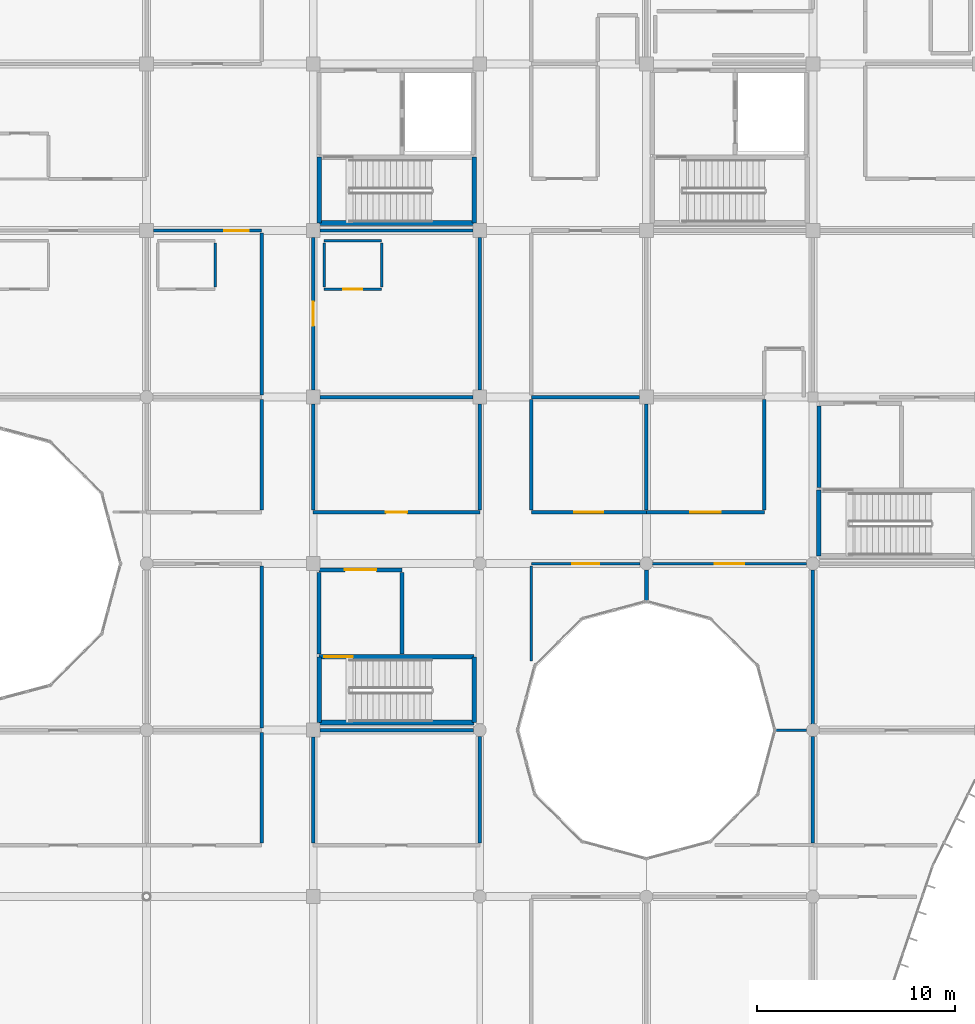
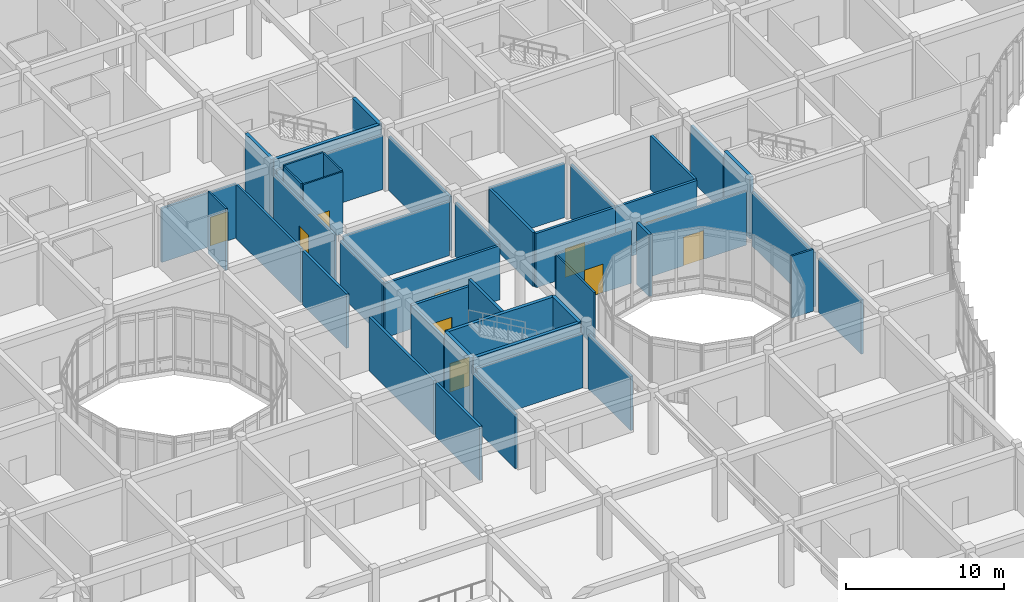
# One storey, part 103 of 134: 45 walls, 10 doors, 10 openings.
"""IFC4 building model written with IfcOpenShell, lengths in metres."""

from ifc_helpers import new_model, si_unit, direction, frame, frame_2d, origin, place, context, subcontext, project, spatial, rectangle, extrude, material, layer, layer_set, type_object, element, fill, save


model = new_model("IFC4")

# Units and contexts
model_context = context("Model", 3, precision=1e-05, world=origin(), true_north=direction((0.0, 1.0)))
body_context = subcontext(model_context, "Body", "Model", "MODEL_VIEW")
ifc_project = project(units=[si_unit("LENGTHUNIT", "METRE"), si_unit("AREAUNIT", "SQUARE_METRE"), si_unit("VOLUMEUNIT", "CUBIC_METRE"), si_unit("PLANEANGLEUNIT", "RADIAN"), si_unit("MASSUNIT", "GRAM", prefix="KILO")], contexts=[model_context])

# Site, building, storey
site_placement = place(None, origin())
site = spatial("IfcSite", under=ifc_project, at=site_placement, CompositionType="ELEMENT")
building_placement = place(site_placement, origin())
building = spatial("IfcBuilding", under=site, at=building_placement, Name="Bramfleet General Hospital", CompositionType="ELEMENT")
storey_placement = place(building_placement, frame((0.0, 0.0, 9.300048828125)))
storey = spatial("IfcBuildingStorey", under=building, at=storey_placement, Name="L02", CompositionType="ELEMENT", Elevation=9.300048828125)

# Walls
ifc_material_1 = material(Name="Concrete C35/45", Category="concrete")
ifc_layer_1 = layer(ifc_material_1, 0.205078125, Name="WT-IW-02")
ifc_layer_set_1 = layer_set([ifc_layer_1], Name="Concrete C35/45")
wall_type_1 = type_object("IfcWallType", Name="WT-IW-02", PredefinedType="PARTITIONING", material=ifc_layer_set_1)
wall_1_placement = place(storey_placement, frame((105.280029296875, 71.0400390625, 0.0), z_axis=(0.0, 0.0, 1.0), x_axis=(0.0, 1.0, 0.0)))
element("IfcWall", 1, at=wall_1_placement, inside=storey, type_object=wall_type_1, Name="L02 C11 Lobby East Shaft Wall", PredefinedType="PARTITIONING", context=body_context, shape_type="SweptSolid", body=[
    extrude(rectangle(XDim=4.119873046875, YDim=0.205078125, at=frame_2d((2.06005859375, 0.0))), origin(), (0.0, 0.0, 1.0), 4.77001953125),
])
wall_2_placement = place(storey_placement, frame((101.10009765625, 71.0400390625, 0.0), z_axis=(0.0, 0.0, 1.0), x_axis=(0.0, 1.0, 0.0)))
element("IfcWall", 2, at=wall_2_placement, inside=storey, type_object=wall_type_1, Name="L02 C11 Lobby West Compartment Wall", PredefinedType="PARTITIONING", context=body_context, shape_type="SweptSolid", body=[
    extrude(rectangle(XDim=4.119873046875, YDim=0.205078125, at=frame_2d((2.06005859375, 0.0))), origin(), (0.0, 0.0, 1.0), 4.169921875),
])

# Wall, opening, door
wall_3_placement = place(storey_placement, frame((101.10009765625, 75.280029296875, 0.0), z_axis=(0.0, 0.0, 1.0), x_axis=(1.0, 0.0, 0.0)))
wall_3 = element("IfcWall", 3, at=wall_3_placement, inside=storey, type_object=wall_type_1, Name="L02 C11 Lobby North Compartment Wall", PredefinedType="PARTITIONING", context=body_context, shape_type="SweptSolid", body=[
    extrude(rectangle(XDim=4.179931640625, YDim=0.205078125, at=frame_2d((2.08984375, 0.0))), origin(), (0.0, 0.0, 1.0), 4.169921875),
])
opening_1_placement = place(wall_3_placement, frame((1.2900390625, 0.0, 0.0)))
opening_1 = element("IfcOpeningElement", 4, at=opening_1_placement, cuts=wall_3, Name="Opening D0144", PredefinedType="OPENING", context=body_context, shape_type="SweptSolid", body=[
    extrude(rectangle(XDim=1.60009765625, YDim=2.25, at=frame_2d((0.800048828125, 1.125))), frame((0.0, 0.112548828125, 0.0), z_axis=(0.0, -1.0, 0.0), x_axis=(1.0, 0.0, 0.0)), (0.0, 0.0, 1.0), 0.22509765625),
])
ifc_material_2 = material(Name="Stainless steel and acoustic timber leaf", Category="steel")
door_type_1 = type_object("IfcDoorType", Name="DR-D-04", OperationType="NOTDEFINED", PredefinedType="DOOR", material=ifc_material_2)
door_1_placement = place(opening_1_placement, origin())
door_1 = element("IfcDoor", 5, at=door_1_placement, inside=storey, type_object=door_type_1, Name="L02 C11 Lobby Fire Door D0144", OperationType="DOUBLE_SWING_LEFT", OverallHeight=2.25, OverallWidth=1.60009765625, PredefinedType="DOOR", context=body_context, shape_type="SweptSolid", body=[
    extrude(rectangle(XDim=1.60009765625, YDim=2.25, at=frame_2d((0.800048828125, 1.125))), frame((0.0, 0.02490234375, 0.0), z_axis=(0.0, -1.0, 0.0), x_axis=(1.0, 0.0, 0.0)), (0.0, 0.0, 1.0), 0.050048828125),
])
fill(opening_1, door_1)

# Walls
wall_4_placement = place(storey_placement, frame((126.300048828125, 79.43994140625, 0.0), z_axis=(0.0, 0.0, 1.0), x_axis=(0.0, 1.0, 0.0)))
element("IfcWall", 6, at=wall_4_placement, inside=storey, type_object=wall_type_1, Name="L02 C12 Lobby West Compartment Wall", PredefinedType="PARTITIONING", context=body_context, shape_type="SweptSolid", body=[
    extrude(rectangle(XDim=4.1201171875, YDim=0.205078125, at=frame_2d((2.06005859375, 0.0))), origin(), (0.0, 0.0, 1.0), 4.169921875),
])
wall_5_placement = place(storey_placement, frame((117.60009765625, 73.699951171875, 0.0), z_axis=(0.0, 0.0, 1.0), x_axis=(0.0, 1.0, 0.0)))
element("IfcWall", 7, at=wall_5_placement, inside=storey, type_object=wall_type_1, Name="L02 Interior Partition IW-L02-2390", PredefinedType="PARTITIONING", context=body_context, shape_type="SweptSolid", body=[
    extrude(rectangle(XDim=1.580078125, YDim=0.205078125, at=frame_2d((0.7900390625, 0.0))), origin(), (0.0, 0.0, 1.0), 4.77001953125),
])
ifc_layer_2 = layer(ifc_material_1, 0.179931640625, Name="WT-IW-04")
ifc_layer_set_2 = layer_set([ifc_layer_2], Name="Concrete C35/45")
wall_type_2 = type_object("IfcWallType", Name="WT-IW-04", PredefinedType="PARTITIONING", material=ifc_layer_set_2)
wall_6_placement = place(storey_placement, frame((101.14501953125, 67.199951171875, 0.0), z_axis=(0.0, 0.0, 1.0), x_axis=(1.0, 0.0, 0.0)))
element("IfcWall", 8, at=wall_6_placement, inside=storey, type_object=wall_type_2, Name="L02 Interior Partition IW-L02-2012", PredefinedType="PARTITIONING", context=body_context, shape_type="SweptSolid", body=[
    extrude(rectangle(XDim=7.73486328125, YDim=0.179931640625, at=frame_2d((3.867431640625, 0.0))), origin(), (0.0, 0.0, 1.0), 4.169921875),
])

# Wall, opening, door
wall_7_placement = place(storey_placement, frame((100.800048828125, 78.199951171875, 0.0), z_axis=(0.0, 0.0, 1.0), x_axis=(1.0, 0.0, 0.0)))
wall_7 = element("IfcWall", 9, at=wall_7_placement, inside=storey, type_object=wall_type_2, Name="L02 Interior Partition IW-L02-2041", PredefinedType="PARTITIONING", context=body_context, shape_type="SweptSolid", body=[
    extrude(rectangle(XDim=8.39990234375, YDim=0.179931640625, at=frame_2d((4.199951171875, 0.0))), origin(), (0.0, 0.0, 1.0), 4.169921875),
])
opening_2_placement = place(wall_7_placement, frame((3.659912109375, 0.0, 0.0)))
opening_2 = element("IfcOpeningElement", 10, at=opening_2_placement, cuts=wall_7, Name="Opening D0950", PredefinedType="OPENING", context=body_context, shape_type="SweptSolid", body=[
    extrude(rectangle(XDim=1.080078125, YDim=2.1201171875, at=frame_2d((0.5400390625, 1.06005859375))), frame((0.0, 0.099853515625, 0.0), z_axis=(0.0, -1.0, 0.0), x_axis=(1.0, 0.0, 0.0)), (0.0, 0.0, 1.0), 0.199951171875),
])
door_type_2 = type_object("IfcDoorType", Name="DR-D-22", OperationType="NOTDEFINED", PredefinedType="DOOR", material=ifc_material_2)
door_2_placement = place(opening_2_placement, origin())
door_2 = element("IfcDoor", 11, at=door_2_placement, inside=storey, type_object=door_type_2, Name="Interventional Cardiology Cath Lab L02-1209 Door D0950", OperationType="SINGLE_SWING_LEFT", OverallHeight=2.1201171875, OverallWidth=1.080078125, PredefinedType="DOOR", context=body_context, shape_type="SweptSolid", body=[
    extrude(rectangle(XDim=1.080078125, YDim=2.1201171875, at=frame_2d((0.5400390625, 1.06005859375))), frame((0.0, 0.02490234375, 0.0), z_axis=(0.0, -1.0, 0.0), x_axis=(1.0, 0.0, 0.0)), (0.0, 0.0, 1.0), 0.050048828125),
])
fill(opening_2, door_2)

wall_8_placement = place(storey_placement, frame((111.800048828125, 78.199951171875, 0.0), z_axis=(0.0, 0.0, 1.0), x_axis=(1.0, 0.0, 0.0)))
wall_8 = element("IfcWall", 12, at=wall_8_placement, inside=storey, type_object=wall_type_2, Name="L02 Interior Partition IW-L02-2042", PredefinedType="PARTITIONING", context=body_context, shape_type="SweptSolid", body=[
    extrude(rectangle(XDim=5.800048828125, YDim=0.179931640625, at=frame_2d((2.89990234375, 0.0))), origin(), (0.0, 0.0, 1.0), 4.169921875),
])
opening_3_placement = place(wall_8_placement, frame((2.175048828125, 0.0, 0.0)))
opening_3 = element("IfcOpeningElement", 13, at=opening_3_placement, cuts=wall_8, Name="Opening D0963", PredefinedType="OPENING", context=body_context, shape_type="SweptSolid", body=[
    extrude(rectangle(XDim=1.449951171875, YDim=2.199951171875, at=frame_2d((0.72509765625, 1.10009765625))), frame((0.0, 0.099853515625, 0.0), z_axis=(0.0, -1.0, 0.0), x_axis=(1.0, 0.0, 0.0)), (0.0, 0.0, 1.0), 0.199951171875),
])
door_type_3 = type_object("IfcDoorType", Name="DR-D-03", OperationType="NOTDEFINED", PredefinedType="DOOR", material=ifc_material_2)
door_3_placement = place(opening_3_placement, origin())
door_3 = element("IfcDoor", 14, at=door_3_placement, inside=storey, type_object=door_type_3, Name="Interventional Cardiology Cath Lab L02-1309 Door D0963", OperationType="SINGLE_SWING_RIGHT", OverallHeight=2.199951171875, OverallWidth=1.449951171875, PredefinedType="DOOR", context=body_context, shape_type="SweptSolid", body=[
    extrude(rectangle(XDim=1.449951171875, YDim=2.199951171875, at=frame_2d((0.72509765625, 1.10009765625))), frame((0.0, 0.02490234375, 0.0), z_axis=(0.0, -1.0, 0.0), x_axis=(1.0, 0.0, 0.0)), (0.0, 0.0, 1.0), 0.050048828125),
])
fill(opening_3, door_3)

wall_9_placement = place(storey_placement, frame((117.60009765625, 78.199951171875, 0.0), z_axis=(0.0, 0.0, 1.0), x_axis=(1.0, 0.0, 0.0)))
wall_9 = element("IfcWall", 15, at=wall_9_placement, inside=storey, type_object=wall_type_2, Name="L02 Interior Partition IW-L02-2043", PredefinedType="PARTITIONING", context=body_context, shape_type="SweptSolid", body=[
    extrude(rectangle(XDim=5.949951171875, YDim=0.179931640625, at=frame_2d((2.97509765625, 0.0))), origin(), (0.0, 0.0, 1.0), 4.169921875),
])
opening_4_placement = place(wall_9_placement, frame((2.205078125, 0.0, 0.0)))
opening_4 = element("IfcOpeningElement", 16, at=opening_4_placement, cuts=wall_9, Name="Opening D0977", PredefinedType="OPENING", context=body_context, shape_type="SweptSolid", body=[
    extrude(rectangle(XDim=1.5400390625, YDim=2.239990234375, at=frame_2d((0.77001953125, 1.1201171875))), frame((0.0, 0.099853515625, 0.0), z_axis=(0.0, -1.0, 0.0), x_axis=(1.0, 0.0, 0.0)), (0.0, 0.0, 1.0), 0.199951171875),
])
door_type_4 = type_object("IfcDoorType", Name="DR-D-17", OperationType="NOTDEFINED", PredefinedType="DOOR", material=ifc_material_2)
door_4_placement = place(opening_4_placement, origin())
door_4 = element("IfcDoor", 17, at=door_4_placement, inside=storey, type_object=door_type_4, Name="Interventional Cardiology Cath Lab L02-1409 Door D0977", OperationType="SINGLE_SWING_RIGHT", OverallHeight=2.239990234375, OverallWidth=1.5400390625, PredefinedType="DOOR", context=body_context, shape_type="SweptSolid", body=[
    extrude(rectangle(XDim=1.5400390625, YDim=2.239990234375, at=frame_2d((0.77001953125, 1.1201171875))), frame((0.0, 0.02490234375, 0.0), z_axis=(0.0, -1.0, 0.0), x_axis=(1.0, 0.0, 0.0)), (0.0, 0.0, 1.0), 0.050048828125),
])
fill(opening_4, door_4)

# Walls
wall_10_placement = place(storey_placement, frame((101.14501953125, 84.0, 0.0), z_axis=(0.0, 0.0, 1.0), x_axis=(1.0, 0.0, 0.0)))
element("IfcWall", 18, at=wall_10_placement, inside=storey, type_object=wall_type_2, Name="L02 Interior Partition IW-L02-2058", PredefinedType="PARTITIONING", context=body_context, shape_type="SweptSolid", body=[
    extrude(rectangle(XDim=7.7099609375, YDim=0.179931640625, at=frame_2d((3.85498046875, 0.0))), origin(), (0.0, 0.0, 1.0), 4.169921875),
])
wall_11_placement = place(storey_placement, frame((111.800048828125, 84.0, 0.0), z_axis=(0.0, 0.0, 1.0), x_axis=(1.0, 0.0, 0.0)))
element("IfcWall", 19, at=wall_11_placement, inside=storey, type_object=wall_type_2, Name="L02 Interior Partition IW-L02-2059", PredefinedType="PARTITIONING", context=body_context, shape_type="SweptSolid", body=[
    extrude(rectangle(XDim=5.454833984375, YDim=0.179931640625, at=frame_2d((2.7275390625, 0.0))), origin(), (0.0, 0.0, 1.0), 4.169921875),
])
wall_12_placement = place(storey_placement, frame((98.199951171875, 61.514892578125, 0.0), z_axis=(0.0, 0.0, 1.0), x_axis=(0.0, 1.0, 0.0)))
element("IfcWall", 20, at=wall_12_placement, inside=storey, type_object=wall_type_2, Name="L02 Interior Partition IW-L02-2347", PredefinedType="PARTITIONING", context=body_context, shape_type="SweptSolid", body=[
    extrude(rectangle(XDim=5.570068359375, YDim=0.179931640625, at=frame_2d((2.78515625, 0.0))), origin(), (0.0, 0.0, 1.0), 4.169921875),
])
wall_13_placement = place(storey_placement, frame((98.199951171875, 67.31494140625, 0.0), z_axis=(0.0, 0.0, 1.0), x_axis=(0.0, 1.0, 0.0)))
element("IfcWall", 21, at=wall_13_placement, inside=storey, type_object=wall_type_2, Name="L02 Interior Partition IW-L02-2348", PredefinedType="PARTITIONING", context=body_context, shape_type="SweptSolid", body=[
    extrude(rectangle(XDim=8.170166015625, YDim=0.179931640625, at=frame_2d((4.0849609375, 0.0))), origin(), (0.0, 0.0, 1.0), 4.169921875),
])
wall_14_placement = place(storey_placement, frame((98.199951171875, 78.31494140625, 0.0), z_axis=(0.0, 0.0, 1.0), x_axis=(0.0, 1.0, 0.0)))
element("IfcWall", 22, at=wall_14_placement, inside=storey, type_object=wall_type_2, Name="L02 Interior Partition IW-L02-2349", PredefinedType="PARTITIONING", context=body_context, shape_type="SweptSolid", body=[
    extrude(rectangle(XDim=5.570068359375, YDim=0.179931640625, at=frame_2d((2.78515625, 0.0))), origin(), (0.0, 0.0, 1.0), 4.169921875),
])
for number, where, z_axis, x_axis, name in (
    (23, (100.800048828125, 61.514892578125, 0.0), (0.0, 0.0, 1.0), (0.0, 1.0, 0.0), "L02 Interior Partition IW-L02-2355"),
    (24, (100.800048828125, 78.31494140625, 0.0), (0.0, 0.0, 1.0), (0.0, 1.0, 0.0), "L02 Interior Partition IW-L02-2356"),
):
    element("IfcWall", number, at=place(storey_placement, frame(where, z_axis=z_axis, x_axis=x_axis)), inside=storey, type_object=wall_type_2, Name=name, PredefinedType="PARTITIONING", context=body_context, shape_type="SweptSolid", body=[
        extrude(rectangle(XDim=5.340087890625, YDim=0.179931640625, at=frame_2d((2.669921875, 0.0))), origin(), (0.0, 0.0, 1.0), 4.169921875),
    ])
wall_15_placement = place(storey_placement, frame((109.199951171875, 61.514892578125, 0.0), z_axis=(0.0, 0.0, 1.0), x_axis=(0.0, 1.0, 0.0)))
element("IfcWall", 25, at=wall_15_placement, inside=storey, type_object=wall_type_2, Name="L02 Interior Partition IW-L02-2362", PredefinedType="PARTITIONING", context=body_context, shape_type="SweptSolid", body=[
    extrude(rectangle(XDim=5.364990234375, YDim=0.179931640625, at=frame_2d((2.6826171875, 0.0))), origin(), (0.0, 0.0, 1.0), 4.169921875),
])
wall_16_placement = place(storey_placement, frame((109.199951171875, 78.31494140625, 0.0), z_axis=(0.0, 0.0, 1.0), x_axis=(0.0, 1.0, 0.0)))
element("IfcWall", 26, at=wall_16_placement, inside=storey, type_object=wall_type_2, Name="L02 Interior Partition IW-L02-2363", PredefinedType="PARTITIONING", context=body_context, shape_type="SweptSolid", body=[
    extrude(rectangle(XDim=5.340087890625, YDim=0.179931640625, at=frame_2d((2.669921875, 0.0))), origin(), (0.0, 0.0, 1.0), 4.169921875),
])
wall_17_placement = place(storey_placement, frame((111.800048828125, 78.31494140625, 0.0), z_axis=(0.0, 0.0, 1.0), x_axis=(0.0, 1.0, 0.0)))
element("IfcWall", 27, at=wall_17_placement, inside=storey, type_object=wall_type_2, Name="L02 Interior Partition IW-L02-2374", PredefinedType="PARTITIONING", context=body_context, shape_type="SweptSolid", body=[
    extrude(rectangle(XDim=5.570068359375, YDim=0.179931640625, at=frame_2d((2.78515625, 0.0))), origin(), (0.0, 0.0, 1.0), 4.169921875),
])
wall_18_placement = place(storey_placement, frame((117.60009765625, 78.31494140625, 0.0), z_axis=(0.0, 0.0, 1.0), x_axis=(0.0, 1.0, 0.0)))
element("IfcWall", 28, at=wall_18_placement, inside=storey, type_object=wall_type_2, Name="L02 Interior Partition IW-L02-2391", PredefinedType="PARTITIONING", context=body_context, shape_type="SweptSolid", body=[
    extrude(rectangle(XDim=5.340087890625, YDim=0.179931640625, at=frame_2d((2.669921875, 0.0))), origin(), (0.0, 0.0, 1.0), 4.169921875),
])
wall_19_placement = place(storey_placement, frame((123.550048828125, 78.31494140625, 0.0), z_axis=(0.0, 0.0, 1.0), x_axis=(0.0, 1.0, 0.0)))
element("IfcWall", 29, at=wall_19_placement, inside=storey, type_object=wall_type_2, Name="L02 Interior Partition IW-L02-2396", PredefinedType="PARTITIONING", context=body_context, shape_type="SweptSolid", body=[
    extrude(rectangle(XDim=5.570068359375, YDim=0.179931640625, at=frame_2d((2.78515625, 0.0))), origin(), (0.0, 0.0, 1.0), 4.169921875),
])
wall_20_placement = place(storey_placement, frame((126.0, 61.514892578125, 0.0), z_axis=(0.0, 0.0, 1.0), x_axis=(0.0, 1.0, 0.0)))
element("IfcWall", 30, at=wall_20_placement, inside=storey, type_object=wall_type_2, Name="L02 Interior Partition IW-L02-2404", PredefinedType="PARTITIONING", context=body_context, shape_type="SweptSolid", body=[
    extrude(rectangle(XDim=5.364990234375, YDim=0.179931640625, at=frame_2d((2.6826171875, 0.0))), origin(), (0.0, 0.0, 1.0), 4.169921875),
])
ifc_material_3 = material(Name="Gypsum plasterboard on acoustic steel studs", Category="steel")
ifc_layer_3 = layer(ifc_material_3, 0.169921875, Name="WT-IW-05")
ifc_layer_set_3 = layer_set([ifc_layer_3], Name="Gypsum plasterboard on acoustic steel studs")
wall_type_3 = type_object("IfcWallType", Name="WT-IW-05", PredefinedType="PARTITIONING", material=ifc_layer_set_3)
wall_21_placement = place(storey_placement, frame((126.0, 67.52001953125, 0.0), z_axis=(0.0, 0.0, 1.0), x_axis=(0.0, 1.0, 0.0)))
element("IfcWall", 31, at=wall_21_placement, inside=storey, type_object=wall_type_3, Name="L02 Interior Partition IW-L02-2405", PredefinedType="PARTITIONING", context=body_context, shape_type="SweptSolid", body=[
    extrude(rectangle(XDim=7.760009765625, YDim=0.169921875, at=frame_2d((3.8798828125, 0.0))), origin(), (0.0, 0.0, 1.0), 4.169921875),
])

# Wall, opening, door
ifc_layer_4 = layer(ifc_material_3, 0.159912109375, Name="WT-IW-06")
ifc_layer_set_4 = layer_set([ifc_layer_4], Name="Gypsum plasterboard on acoustic steel studs")
wall_type_4 = type_object("IfcWallType", Name="WT-IW-06", PredefinedType="PARTITIONING", material=ifc_layer_set_4)
wall_22_placement = place(storey_placement, frame((92.7451171875, 92.39990234375, 0.0), z_axis=(0.0, 0.0, 1.0), x_axis=(1.0, 0.0, 0.0)))
wall_22 = element("IfcWall", 32, at=wall_22_placement, inside=storey, type_object=wall_type_4, Name="L02 Interior Partition IW-L02-2086", PredefinedType="PARTITIONING", context=body_context, shape_type="SweptSolid", body=[
    extrude(rectangle(XDim=5.454833984375, YDim=0.159912109375, at=frame_2d((2.7275390625, 0.0))), origin(), (0.0, 0.0, 1.0), 4.169921875),
])
opening_5_placement = place(wall_22_placement, frame((3.562744140625, 0.0, 0.0)))
opening_5 = element("IfcOpeningElement", 33, at=opening_5_placement, cuts=wall_22, Name="Opening D0942", PredefinedType="OPENING", context=body_context, shape_type="SweptSolid", body=[
    extrude(rectangle(XDim=1.25, YDim=2.199951171875, at=frame_2d((0.625, 1.10009765625))), frame((0.0, 0.08984375, 0.0), z_axis=(0.0, -1.0, 0.0), x_axis=(1.0, 0.0, 0.0)), (0.0, 0.0, 1.0), 0.179931640625),
])
door_type_5 = type_object("IfcDoorType", Name="DR-D-14", OperationType="NOTDEFINED", PredefinedType="DOOR", material=ifc_material_2)
door_5_placement = place(opening_5_placement, origin())
door_5 = element("IfcDoor", 34, at=door_5_placement, inside=storey, type_object=door_type_5, Name="Intensive Care Unit Room L02-1110 Door D0942", OperationType="SINGLE_SWING_LEFT", OverallHeight=2.199951171875, OverallWidth=1.25, PredefinedType="DOOR", context=body_context, shape_type="SweptSolid", body=[
    extrude(rectangle(XDim=1.25, YDim=2.199951171875, at=frame_2d((0.625, 1.10009765625))), frame((0.0, 0.02490234375, 0.0), z_axis=(0.0, -1.0, 0.0), x_axis=(1.0, 0.0, 0.0)), (0.0, 0.0, 1.0), 0.050048828125),
])
fill(opening_5, door_5)

# Walls
wall_23_placement = place(storey_placement, frame((101.14501953125, 92.39990234375, 0.0), z_axis=(0.0, 0.0, 1.0), x_axis=(1.0, 0.0, 0.0)))
element("IfcWall", 35, at=wall_23_placement, inside=storey, type_object=wall_type_4, Name="L02 Interior Partition IW-L02-2087", PredefinedType="PARTITIONING", context=body_context, shape_type="SweptSolid", body=[
    extrude(rectangle(XDim=7.7099609375, YDim=0.159912109375, at=frame_2d((3.85498046875, 0.0))), origin(), (0.0, 0.0, 1.0), 4.169921875),
])
wall_24_placement = place(storey_placement, frame((98.199951171875, 84.114990234375, 0.0), z_axis=(0.0, 0.0, 1.0), x_axis=(0.0, 1.0, 0.0)))
element("IfcWall", 36, at=wall_24_placement, inside=storey, type_object=wall_type_4, Name="L02 Interior Partition IW-L02-2350", PredefinedType="PARTITIONING", context=body_context, shape_type="SweptSolid", body=[
    extrude(rectangle(XDim=8.169921875, YDim=0.159912109375, at=frame_2d((4.0849609375, 0.0))), origin(), (0.0, 0.0, 1.0), 4.169921875),
])

# Wall, opening, door
wall_25_placement = place(storey_placement, frame((100.800048828125, 84.344970703125, 0.0), z_axis=(0.0, 0.0, 1.0), x_axis=(0.0, 1.0, 0.0)))
wall_25 = element("IfcWall", 37, at=wall_25_placement, inside=storey, type_object=wall_type_4, Name="L02 Interior Partition IW-L02-2357", PredefinedType="PARTITIONING", context=body_context, shape_type="SweptSolid", body=[
    extrude(rectangle(XDim=7.7099609375, YDim=0.159912109375, at=frame_2d((3.85498046875, 0.0))), origin(), (0.0, 0.0, 1.0), 4.169921875),
])
opening_6_placement = place(wall_25_placement, frame((3.2451171875, 0.0, 0.0)))
opening_6 = element("IfcOpeningElement", 38, at=opening_6_placement, cuts=wall_25, Name="Opening D0951", PredefinedType="OPENING", context=body_context, shape_type="SweptSolid", body=[
    extrude(rectangle(XDim=1.219970703125, YDim=2.179931640625, at=frame_2d((0.60986328125, 1.08984375))), frame((0.0, 0.08984375, 0.0), z_axis=(0.0, -1.0, 0.0), x_axis=(1.0, 0.0, 0.0)), (0.0, 0.0, 1.0), 0.179931640625),
])
door_type_6 = type_object("IfcDoorType", Name="DR-D-23", OperationType="NOTDEFINED", PredefinedType="DOOR", material=ifc_material_2)
door_6_placement = place(opening_6_placement, origin())
door_6 = element("IfcDoor", 39, at=door_6_placement, inside=storey, type_object=door_type_6, Name="Intensive Care Unit Room L02-1210 Door D0951", OperationType="SINGLE_SWING_RIGHT", OverallHeight=2.179931640625, OverallWidth=1.219970703125, PredefinedType="DOOR", context=body_context, shape_type="SweptSolid", body=[
    extrude(rectangle(XDim=1.219970703125, YDim=2.179931640625, at=frame_2d((0.60986328125, 1.08984375))), frame((0.0, 0.02490234375, 0.0), z_axis=(0.0, -1.0, 0.0), x_axis=(1.0, 0.0, 0.0)), (0.0, 0.0, 1.0), 0.050048828125),
])
fill(opening_6, door_6)

# Walls
wall_26_placement = place(storey_placement, frame((109.199951171875, 84.344970703125, 0.0), z_axis=(0.0, 0.0, 1.0), x_axis=(0.0, 1.0, 0.0)))
element("IfcWall", 40, at=wall_26_placement, inside=storey, type_object=wall_type_4, Name="L02 Interior Partition IW-L02-2364", PredefinedType="PARTITIONING", context=body_context, shape_type="SweptSolid", body=[
    extrude(rectangle(XDim=7.7099609375, YDim=0.159912109375, at=frame_2d((3.85498046875, 0.0))), origin(), (0.0, 0.0, 1.0), 4.169921875),
])
ifc_layer_5 = layer(ifc_material_3, 0.1298828125, Name="WT-IW-09")
ifc_layer_set_5 = layer_set([ifc_layer_5], Name="Gypsum plasterboard on acoustic steel studs")
wall_type_5 = type_object("IfcWallType", Name="WT-IW-09", PredefinedType="PARTITIONING", material=ifc_layer_set_5)
wall_27_placement = place(storey_placement, frame((124.10009765625, 67.199951171875, 0.0), z_axis=(0.0, 0.0, 1.0), x_axis=(1.0, 0.0, 0.0)))
element("IfcWall", 41, at=wall_27_placement, inside=storey, type_object=wall_type_5, Name="L02 Interior Partition IW-L02-2013", PredefinedType="PARTITIONING", context=body_context, shape_type="SweptSolid", body=[
    extrude(rectangle(XDim=1.579833984375, YDim=0.1298828125, at=frame_2d((0.7900390625, 0.0))), origin(), (0.0, 0.0, 1.0), 4.77001953125),
])

# Wall, opening, door
wall_28_placement = place(storey_placement, frame((111.800048828125, 75.60009765625, 0.0), z_axis=(0.0, 0.0, 1.0), x_axis=(1.0, 0.0, 0.0)))
wall_28 = element("IfcWall", 42, at=wall_28_placement, inside=storey, type_object=wall_type_5, Name="L02 Interior Partition IW-L02-2025", PredefinedType="PARTITIONING", context=body_context, shape_type="SweptSolid", body=[
    extrude(rectangle(XDim=5.47998046875, YDim=0.1298828125, at=frame_2d((2.739990234375, 0.0))), origin(), (0.0, 0.0, 1.0), 4.169921875),
])
opening_7_placement = place(wall_28_placement, frame((2.06494140625, 0.0, 0.0)))
opening_7 = element("IfcOpeningElement", 43, at=opening_7_placement, cuts=wall_28, Name="Opening D0962", PredefinedType="OPENING", context=body_context, shape_type="SweptSolid", body=[
    extrude(rectangle(XDim=1.35009765625, YDim=2.199951171875, at=frame_2d((0.675048828125, 1.10009765625))), frame((0.0, 0.074951171875, 0.0), z_axis=(0.0, -1.0, 0.0), x_axis=(1.0, 0.0, 0.0)), (0.0, 0.0, 1.0), 0.14990234375),
])
door_type_7 = type_object("IfcDoorType", Name="DR-D-02", OperationType="NOTDEFINED", PredefinedType="DOOR", material=ifc_material_2)
door_7_placement = place(opening_7_placement, origin())
door_7 = element("IfcDoor", 44, at=door_7_placement, inside=storey, type_object=door_type_7, Name="Courtyard Waiting Lounge L02-1308 Door D0962", OperationType="SINGLE_SWING_LEFT", OverallHeight=2.199951171875, OverallWidth=1.35009765625, PredefinedType="DOOR", context=body_context, shape_type="SweptSolid", body=[
    extrude(rectangle(XDim=1.35009765625, YDim=2.199951171875, at=frame_2d((0.675048828125, 1.10009765625))), frame((0.0, 0.02490234375, 0.0), z_axis=(0.0, -1.0, 0.0), x_axis=(1.0, 0.0, 0.0)), (0.0, 0.0, 1.0), 0.050048828125),
])
fill(opening_7, door_7)

# Wall
wall_29_placement = place(storey_placement, frame((111.800048828125, 70.675048828125, 0.0), z_axis=(0.0, 0.0, 1.0), x_axis=(0.0, 1.0, 0.0)))
element("IfcWall", 45, at=wall_29_placement, inside=storey, type_object=wall_type_5, Name="L02 Interior Partition IW-L02-2373", PredefinedType="PARTITIONING", context=body_context, shape_type="SweptSolid", body=[
    extrude(rectangle(XDim=4.81005859375, YDim=0.1298828125, at=frame_2d((2.405029296875, 0.0))), origin(), (0.0, 0.0, 1.0), 4.169921875),
])

# Wall, opening, door
ifc_layer_6 = layer(ifc_material_3, 0.1201171875, Name="WT-IW-10")
ifc_layer_set_6 = layer_set([ifc_layer_6], Name="Gypsum plasterboard on acoustic steel studs")
wall_type_6 = type_object("IfcWallType", Name="WT-IW-10", PredefinedType="PARTITIONING", material=ifc_layer_set_6)
wall_30_placement = place(storey_placement, frame((117.919921875, 75.60009765625, 0.0), z_axis=(0.0, 0.0, 1.0), x_axis=(1.0, 0.0, 0.0)))
wall_30 = element("IfcWall", 46, at=wall_30_placement, inside=storey, type_object=wall_type_6, Name="L02 Interior Partition IW-L02-2026", PredefinedType="PARTITIONING", context=body_context, shape_type="SweptSolid", body=[
    extrude(rectangle(XDim=7.760009765625, YDim=0.1201171875, at=frame_2d((3.8798828125, 0.0))), origin(), (0.0, 0.0, 1.0), 4.169921875),
])
opening_8_placement = place(wall_30_placement, frame((3.139892578125, 0.0, 0.0)))
opening_8 = element("IfcOpeningElement", 47, at=opening_8_placement, cuts=wall_30, Name="Opening D0976", PredefinedType="OPENING", context=body_context, shape_type="SweptSolid", body=[
    extrude(rectangle(XDim=1.47998046875, YDim=2.219970703125, at=frame_2d((0.739990234375, 1.10986328125))), frame((0.0, 0.070068359375, 0.0), z_axis=(0.0, -1.0, 0.0), x_axis=(1.0, 0.0, 0.0)), (0.0, 0.0, 1.0), 0.14013671875),
])
door_type_8 = type_object("IfcDoorType", Name="DR-D-16", OperationType="NOTDEFINED", PredefinedType="DOOR", material=ifc_material_2)
door_8_placement = place(opening_8_placement, origin())
door_8 = element("IfcDoor", 48, at=door_8_placement, inside=storey, type_object=door_type_8, Name="Courtyard Waiting Lounge L02-1408 Door D0976", OperationType="SINGLE_SWING_LEFT", OverallHeight=2.219970703125, OverallWidth=1.47998046875, PredefinedType="DOOR", context=body_context, shape_type="SweptSolid", body=[
    extrude(rectangle(XDim=1.47998046875, YDim=2.219970703125, at=frame_2d((0.739990234375, 1.10986328125))), frame((0.0, 0.02490234375, 0.0), z_axis=(0.0, -1.0, 0.0), x_axis=(1.0, 0.0, 0.0)), (0.0, 0.0, 1.0), 0.050048828125),
])
fill(opening_8, door_8)

wall_31_placement = place(storey_placement, frame((101.35009765625, 89.429931640625, 0.0), z_axis=(0.0, 0.0, 1.0), x_axis=(1.0, 0.0, 0.0)))
wall_31 = element("IfcWall", 49, at=wall_31_placement, inside=storey, type_object=wall_type_6, Name="L02 Interior Partition IW-L02-2069", PredefinedType="PARTITIONING", context=body_context, shape_type="SweptSolid", body=[
    extrude(rectangle(XDim=2.89990234375, YDim=0.1201171875, at=frame_2d((1.449951171875, 0.0))), origin(), (0.0, 0.0, 1.0), 4.77001953125),
])
opening_9_placement = place(wall_31_placement, frame((0.97509765625, 0.0, 0.0)))
opening_9 = element("IfcOpeningElement", 50, at=opening_9_placement, cuts=wall_31, Name="Opening D0952", PredefinedType="OPENING", context=body_context, shape_type="SweptSolid", body=[
    extrude(rectangle(XDim=0.949951171875, YDim=2.10009765625, at=frame_2d((0.47509765625, 1.050048828125))), frame((0.0, 0.070068359375, 0.0), z_axis=(0.0, -1.0, 0.0), x_axis=(1.0, 0.0, 0.0)), (0.0, 0.0, 1.0), 0.14013671875),
])
door_type_9 = type_object("IfcDoorType", Name="DR-D-10", OperationType="NOTDEFINED", PredefinedType="DOOR", material=ifc_material_2)
door_9_placement = place(opening_9_placement, origin())
door_9 = element("IfcDoor", 51, at=door_9_placement, inside=storey, type_object=door_type_9, Name="Intensive Care En-Suite WC L02-1210 Door D0952", OperationType="SINGLE_SWING_LEFT", OverallHeight=2.10009765625, OverallWidth=0.949951171875, PredefinedType="DOOR", context=body_context, shape_type="SweptSolid", body=[
    extrude(rectangle(XDim=0.949951171875, YDim=2.10009765625, at=frame_2d((0.47509765625, 1.050048828125))), frame((0.0, 0.02490234375, 0.0), z_axis=(0.0, -1.0, 0.0), x_axis=(1.0, 0.0, 0.0)), (0.0, 0.0, 1.0), 0.050048828125),
])
fill(opening_9, door_9)

# Walls
wall_32_placement = place(storey_placement, frame((101.35009765625, 91.8798828125, 0.0), z_axis=(0.0, 0.0, 1.0), x_axis=(1.0, 0.0, 0.0)))
element("IfcWall", 52, at=wall_32_placement, inside=storey, type_object=wall_type_6, Name="L02 Interior Partition IW-L02-2074", PredefinedType="PARTITIONING", context=body_context, shape_type="SweptSolid", body=[
    extrude(rectangle(XDim=2.89990234375, YDim=0.1201171875, at=frame_2d((1.449951171875, 0.0))), origin(), (0.0, 0.0, 1.0), 4.77001953125),
])
for number, where, z_axis, x_axis, name in (
    (53, (95.85009765625, 89.544921875, 0.0), (0.0, 0.0, 1.0), (0.0, 1.0, 0.0), "L02 Interior Partition IW-L02-2342"),
    (54, (101.35009765625, 89.544921875, 0.0), (0.0, 0.0, 1.0), (0.0, 1.0, 0.0), "L02 Interior Partition IW-L02-2359"),
    (55, (104.25, 89.544921875, 0.0), (0.0, 0.0, 1.0), (0.0, 1.0, 0.0), "L02 Interior Partition IW-L02-2360"),
):
    element("IfcWall", number, at=place(storey_placement, frame(where, z_axis=z_axis, x_axis=x_axis)), inside=storey, type_object=wall_type_6, Name=name, PredefinedType="PARTITIONING", context=body_context, shape_type="SweptSolid", body=[
        extrude(rectangle(XDim=2.219970703125, YDim=0.1201171875, at=frame_2d((1.10986328125, 0.0))), origin(), (0.0, 0.0, 1.0), 4.77001953125),
    ])
ifc_material_4 = material(Name="Concrete C40/50", Category="concrete")
ifc_layer_7 = layer(ifc_material_4, 0.239990234375, Name="WT-SW-240")
ifc_layer_set_7 = layer_set([ifc_layer_7], Name="Concrete C40/50")
wall_type_7 = type_object("IfcWallType", Name="WT-SW-240", PredefinedType="SHEAR", material=ifc_layer_set_7)
wall_33_placement = place(storey_placement, frame((101.10009765625, 92.780029296875, 0.0), z_axis=(0.0, 0.0, 1.0), x_axis=(1.0, 0.0, 0.0)))
element("IfcWall", 56, at=wall_33_placement, inside=storey, type_object=wall_type_7, Name="L02 C4 South Stair Shear Wall", PredefinedType="SHEAR", context=body_context, shape_type="SweptSolid", body=[
    extrude(rectangle(XDim=7.81982421875, YDim=0.239990234375, at=frame_2d((3.909912109375, 0.0))), origin(), (0.0, 0.0, 1.0), 4.780029296875),
])
for number, where, z_axis, x_axis, name in (
    (57, (101.10009765625, 92.780029296875, 0.0), (0.0, 0.0, 1.0), (0.0, 1.0, 0.0), "L02 C4 West Stair Shear Wall"),
    (58, (108.919921875, 92.780029296875, 0.0), (0.0, 0.0, 1.0), (0.0, 1.0, 0.0), "L02 C4 East Stair Shear Wall"),
):
    element("IfcWall", number, at=place(storey_placement, frame(where, z_axis=z_axis, x_axis=x_axis)), inside=storey, type_object=wall_type_7, Name=name, PredefinedType="SHEAR", context=body_context, shape_type="SweptSolid", body=[
        extrude(rectangle(XDim=3.320068359375, YDim=0.239990234375, at=frame_2d((1.66015625, 0.0))), origin(), (0.0, 0.0, 1.0), 4.780029296875),
    ])
wall_34_placement = place(storey_placement, frame((101.10009765625, 67.580078125, 0.0), z_axis=(0.0, 0.0, 1.0), x_axis=(1.0, 0.0, 0.0)))
element("IfcWall", 59, at=wall_34_placement, inside=storey, type_object=wall_type_7, Name="L02 C11 South Stair Shear Wall", PredefinedType="SHEAR", context=body_context, shape_type="SweptSolid", body=[
    extrude(rectangle(XDim=7.81982421875, YDim=0.239990234375, at=frame_2d((3.909912109375, 0.0))), origin(), (0.0, 0.0, 1.0), 4.780029296875),
])
for number, where, z_axis, x_axis, name in (
    (60, (101.10009765625, 67.580078125, 0.0), (0.0, 0.0, 1.0), (0.0, 1.0, 0.0), "L02 C11 West Stair Shear Wall"),
    (61, (108.919921875, 67.580078125, 0.0), (0.0, 0.0, 1.0), (0.0, 1.0, 0.0), "L02 C11 East Stair Shear Wall"),
):
    element("IfcWall", number, at=place(storey_placement, frame(where, z_axis=z_axis, x_axis=x_axis)), inside=storey, type_object=wall_type_7, Name=name, PredefinedType="SHEAR", context=body_context, shape_type="SweptSolid", body=[
        extrude(rectangle(XDim=3.31982421875, YDim=0.239990234375, at=frame_2d((1.659912109375, 0.0))), origin(), (0.0, 0.0, 1.0), 4.780029296875),
    ])

# Wall, opening, door
wall_35_placement = place(storey_placement, frame((101.10009765625, 70.89990234375, 0.0), z_axis=(0.0, 0.0, 1.0), x_axis=(1.0, 0.0, 0.0)))
wall_35 = element("IfcWall", 62, at=wall_35_placement, inside=storey, type_object=wall_type_7, Name="L02 C11 Stair-Lobby Shear Wall", PredefinedType="SHEAR", context=body_context, shape_type="SweptSolid", body=[
    extrude(rectangle(XDim=7.81982421875, YDim=0.239990234375, at=frame_2d((3.909912109375, 0.0))), origin(), (0.0, 0.0, 1.0), 4.780029296875),
])
opening_10_placement = place(wall_35_placement, frame((0.25, 0.0, 0.0)))
opening_10 = element("IfcOpeningElement", 63, at=opening_10_placement, cuts=wall_35, Name="Opening D0143", PredefinedType="OPENING", context=body_context, shape_type="SweptSolid", body=[
    extrude(rectangle(XDim=1.449951171875, YDim=2.199951171875, at=frame_2d((0.72509765625, 1.10009765625))), frame((0.0, 0.1298828125, 0.0), z_axis=(0.0, -1.0, 0.0), x_axis=(1.0, 0.0, 0.0)), (0.0, 0.0, 1.0), 0.260009765625),
])
door_10_placement = place(opening_10_placement, origin())
door_10 = element("IfcDoor", 64, at=door_10_placement, inside=storey, type_object=door_type_3, Name="L02 C11 Escape Stair Fire Door D0143", OperationType="SINGLE_SWING_RIGHT", OverallHeight=2.199951171875, OverallWidth=1.449951171875, PredefinedType="DOOR", context=body_context, shape_type="SweptSolid", body=[
    extrude(rectangle(XDim=1.449951171875, YDim=2.199951171875, at=frame_2d((0.72509765625, 1.10009765625))), frame((0.0, 0.02490234375, 0.0), z_axis=(0.0, -1.0, 0.0), x_axis=(1.0, 0.0, 0.0)), (0.0, 0.0, 1.0), 0.050048828125),
])
fill(opening_10, door_10)

# Wall
wall_36_placement = place(storey_placement, frame((126.300048828125, 75.97998046875, 0.0), z_axis=(0.0, 0.0, 1.0), x_axis=(0.0, 1.0, 0.0)))
element("IfcWall", 65, at=wall_36_placement, inside=storey, type_object=wall_type_7, Name="L02 C12 West Stair Shear Wall", PredefinedType="SHEAR", context=body_context, shape_type="SweptSolid", body=[
    extrude(rectangle(XDim=3.320068359375, YDim=0.239990234375, at=frame_2d((1.66015625, 0.0))), origin(), (0.0, 0.0, 1.0), 4.780029296875),
])

save(model, "model.ifc")
